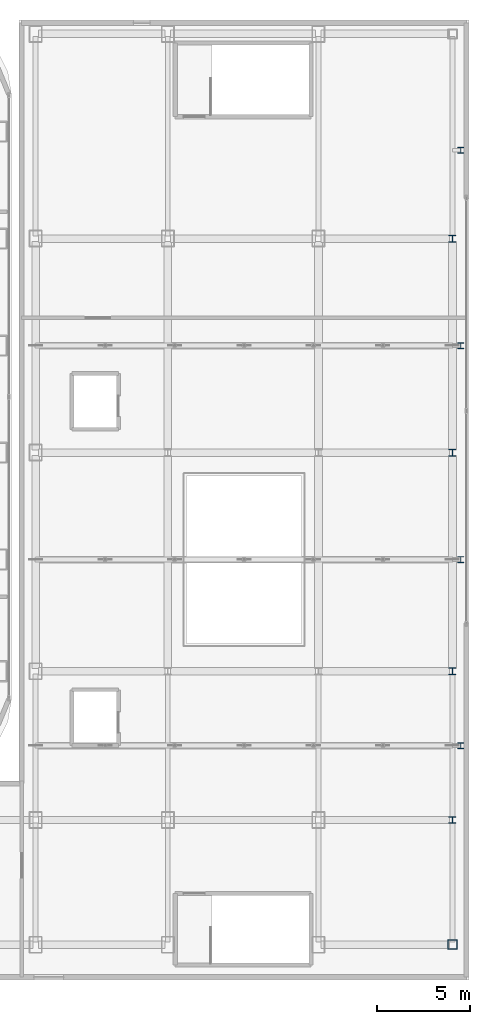
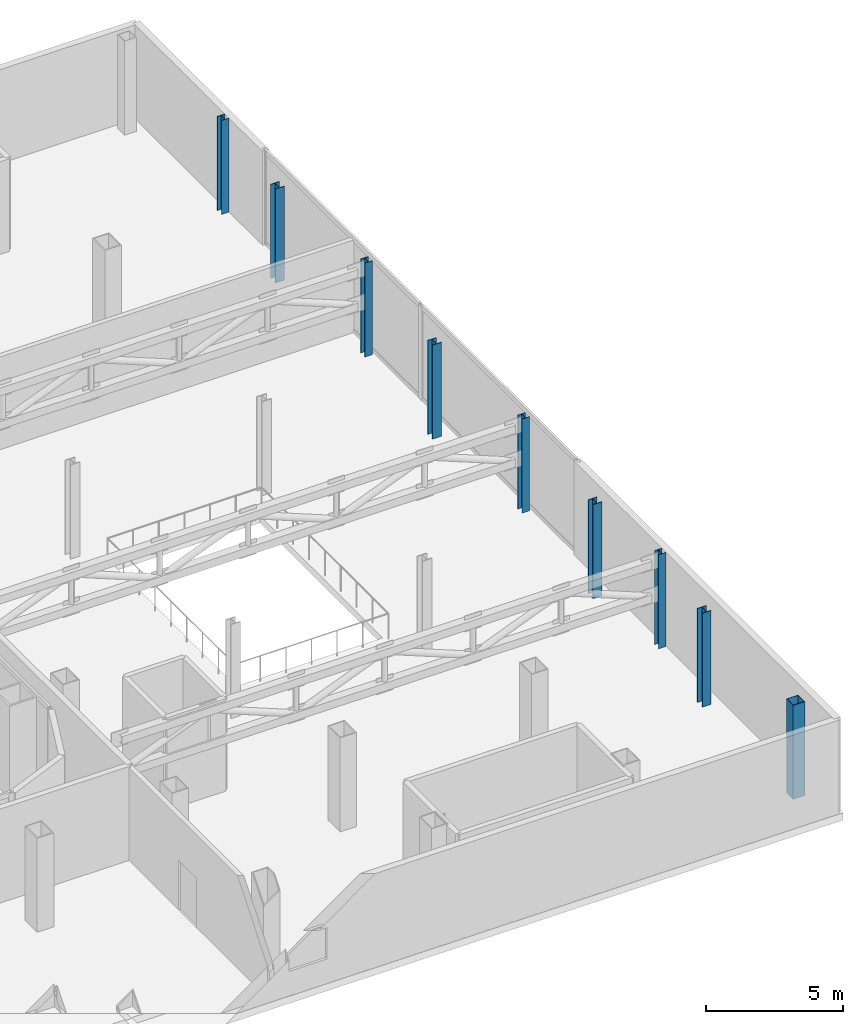
# One storey, part 4 of 28: 9 columns.
"""IFC4 building model written with IfcOpenShell, lengths in metres."""

from ifc_helpers import new_model, si_unit, direction, frame, origin, origin_2d, place, context, subcontext, project, spatial, hollow_rectangle, i_section, extrude, source, transform, mapped, material, material_profile, profile_set, type_object, element, save


model = new_model("IFC4")

# Units and contexts
model_context = context("Model", 3, precision=1e-05, world=origin(), true_north=direction((0.0, 1.0)))
body_context = subcontext(model_context, "Body", "Model", "MODEL_VIEW")
ifc_project = project(units=[si_unit("LENGTHUNIT", "METRE"), si_unit("AREAUNIT", "SQUARE_METRE"), si_unit("VOLUMEUNIT", "CUBIC_METRE"), si_unit("PLANEANGLEUNIT", "RADIAN"), si_unit("MASSUNIT", "GRAM", prefix="KILO")], contexts=[model_context])

# Site, building, storey
site_placement = place(None, origin())
site = spatial("IfcSite", under=ifc_project, at=site_placement, CompositionType="ELEMENT")
building_placement = place(site_placement, origin())
building = spatial("IfcBuilding", under=site, at=building_placement, Name="Kolveth Station Tower", CompositionType="ELEMENT")
storey_placement = place(building_placement, frame((0.0, 0.0, 18.0)))
storey = spatial("IfcBuildingStorey", under=building, at=storey_placement, Name="L04", CompositionType="ELEMENT", Elevation=18.0)

# Columns
ifc_material = material(Name="Steel S355", Category="steel")
ifc_material_profile_1 = material_profile(ifc_material, hollow_rectangle(XDim=0.5, YDim=0.5, WallThickness=0.02490234375, at=origin_2d()), Name="HSS500x500x25")
ifc_profile_set_1 = profile_set([ifc_material_profile_1], Name="Steel S355")
column_type_1 = type_object("IfcColumnType", Name="Col_SC2", PredefinedType="COLUMN", material=ifc_profile_set_1)
shared_shape_1 = source(origin(), body_context, "Body", "SweptSolid", [
    extrude(hollow_rectangle(XDim=0.5, YDim=0.5, WallThickness=0.02490234375, at=origin_2d()), origin(), (0.0, 0.0, 1.0), 4.199951171875),
])
column_placement = place(storey_placement, frame((70.699951171875, -9.199951171875, 0.0), z_axis=(0.0, 0.0, 1.0), x_axis=(1.0, 0.0, 0.0)))
element("IfcColumn", 1, at=column_placement, inside=storey, type_object=column_type_1, Name="L04 Station Column SE-4-1", PredefinedType="COLUMN", context=body_context, shape_type="MappedRepresentation", body=[
    mapped(shared_shape_1, transform((0.0, 0.0, 0.0), x_axis=(1.0, 0.0, 0.0), y_axis=(0.0, 1.0, 0.0), z_axis=(0.0, 0.0, 1.0), scale=1.0)),
])
ifc_material_profile_2 = material_profile(ifc_material, i_section(OverallWidth=0.3740234375, OverallDepth=0.3720703125, WebThickness=0.016357421875, FlangeThickness=0.026123046875, at=origin_2d()), Name="W360x196")
ifc_profile_set_2 = profile_set([ifc_material_profile_2], Name="Steel S355")
column_type_2 = type_object("IfcColumnType", Name="Col_CW2", PredefinedType="COLUMN", material=ifc_profile_set_2)
shared_shape_2 = source(origin(), body_context, "Body", "SweptSolid", [
    extrude(i_section(OverallWidth=0.3740234375, OverallDepth=0.3720703125, WebThickness=0.016357421875, FlangeThickness=0.026123046875, at=origin_2d()), origin(), (0.0, 0.0, 1.0), 4.199951171875),
])
for number, where, z_axis, x_axis, name in (
    (2, (70.699951171875, -2.5, 0.0), (0.0, 0.0, 1.0), (1.0, 0.0, 0.0), "L04 Station Column SE-4-2"),
    (3, (70.699951171875, 5.5, 0.0), (0.0, 0.0, 1.0), (1.0, 0.0, 0.0), "L04 Station Column SE-4-3"),
    (4, (70.699951171875, 17.25, 0.0), (0.0, 0.0, 1.0), (1.0, 0.0, 0.0), "L04 Station Column SE-4-4"),
    (5, (70.699951171875, 28.75, 0.0), (0.0, 0.0, 1.0), (1.0, 0.0, 0.0), "L04 Station Column SE-4-5"),
):
    element("IfcColumn", number, at=place(storey_placement, frame(where, z_axis=z_axis, x_axis=x_axis)), inside=storey, type_object=column_type_2, Name=name, PredefinedType="COLUMN", context=body_context, shape_type="MappedRepresentation", body=[
        mapped(shared_shape_2, transform((0.0, 0.0, 0.0), x_axis=(1.0, 0.0, 0.0), y_axis=(0.0, 1.0, 0.0), z_axis=(0.0, 0.0, 1.0), scale=1.0)),
    ])
ifc_material_profile_3 = material_profile(ifc_material, i_section(OverallWidth=0.30908203125, OverallDepth=0.322998046875, WebThickness=0.013916015625, FlangeThickness=0.02294921875, at=origin_2d()), Name="W310x143")
ifc_profile_set_3 = profile_set([ifc_material_profile_3], Name="Steel S355")
column_type_3 = type_object("IfcColumnType", Name="Col_PL1", PredefinedType="PILASTER", material=ifc_profile_set_3)
shared_shape_3 = source(origin(), body_context, "Body", "SweptSolid", [
    extrude(i_section(OverallWidth=0.30908203125, OverallDepth=0.322998046875, WebThickness=0.013916015625, FlangeThickness=0.02294921875, at=origin_2d()), origin(), (0.0, 0.0, 1.0), 4.199951171875),
])
for number, where, z_axis, x_axis, name in (
    (6, (71.14990234375, 1.5, 0.0), (0.0, 0.0, 1.0), (1.0, 0.0, 0.0), "L04 Station Column SPL-1"),
    (7, (71.14990234375, 11.5, 0.0), (0.0, 0.0, 1.0), (1.0, 0.0, 0.0), "L04 Station Column SPL-2"),
    (8, (71.14990234375, 23.0, 0.0), (0.0, 0.0, 1.0), (1.0, 0.0, 0.0), "L04 Station Column SPL-3"),
    (9, (71.14990234375, 33.5, 0.0), (0.0, 0.0, 1.0), (1.0, 0.0, 0.0), "L04 Station Column SPL-4"),
):
    element("IfcColumn", number, at=place(storey_placement, frame(where, z_axis=z_axis, x_axis=x_axis)), inside=storey, type_object=column_type_3, Name=name, PredefinedType="PILASTER", context=body_context, shape_type="MappedRepresentation", body=[
        mapped(shared_shape_3, transform((0.0, 0.0, 0.0), x_axis=(1.0, 0.0, 0.0), y_axis=(0.0, 1.0, 0.0), z_axis=(0.0, 0.0, 1.0), scale=1.0)),
    ])

save(model, "model.ifc")
